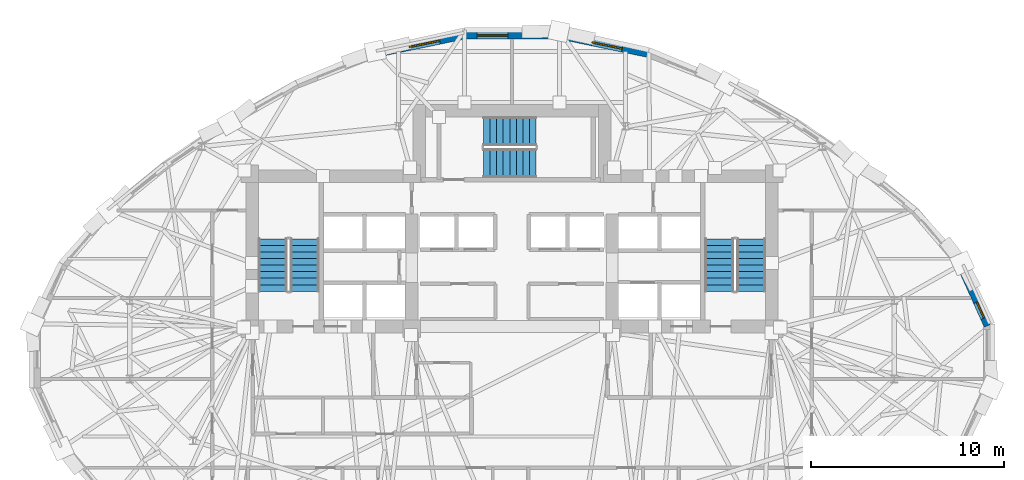
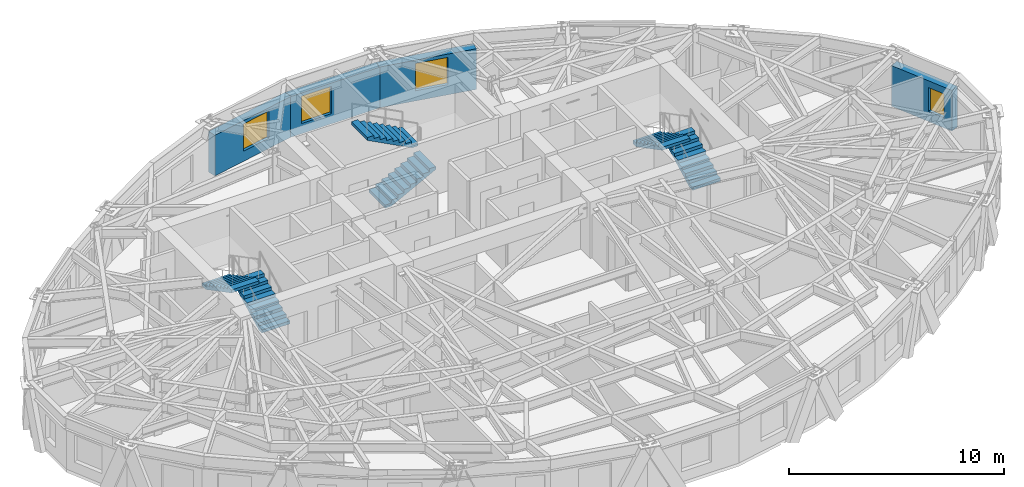
# One storey, part 10 of 14: 6 stair flights, 4 walls, 4 windows, 4 openings, 3 elements without a shape of their own.
"""IFC4 building model written with IfcOpenShell, lengths in metres."""

from ifc_helpers import new_model, si_unit, direction, frame, frame_2d, origin, place, context, subcontext, project, spatial, polyline, rectangle, outline, extrude, material, layer, layer_set, type_object, element, fill, aggregate, save


model = new_model("IFC4")

# Units and contexts
model_context = context("Model", 3, precision=1e-05, world=origin(), true_north=direction((0.0, 1.0)))
body_context = subcontext(model_context, "Body", "Model", "MODEL_VIEW")
ifc_project = project(units=[si_unit("LENGTHUNIT", "METRE"), si_unit("AREAUNIT", "SQUARE_METRE"), si_unit("VOLUMEUNIT", "CUBIC_METRE"), si_unit("PLANEANGLEUNIT", "RADIAN"), si_unit("MASSUNIT", "GRAM", prefix="KILO")], contexts=[model_context])

# Site, building, storey
site_placement = place(None, origin())
site = spatial("IfcSite", under=ifc_project, at=site_placement, CompositionType="ELEMENT")
building_placement = place(site_placement, origin())
building = spatial("IfcBuilding", under=site, at=building_placement, Name="Keldmark Tower", CompositionType="ELEMENT")
storey_placement = place(building_placement, frame((0.0, 0.0, 182.199951171875)))
storey = spatial("IfcBuildingStorey", under=building, at=storey_placement, Name="L50", CompositionType="ELEMENT", Elevation=182.199951171875)

# Wall, opening, window
ifc_material_1 = material(Name="Ironspot Manganese Brick and Kasota Buff Limestone Spandrel Assembly", Category="masonry")
ifc_layer = layer(ifc_material_1, 0.43994140625)
ifc_layer_set = layer_set([ifc_layer], Name="Ironspot Manganese Brick and Kasota Buff Limestone Spandrel Assembly")
wall_type = type_object("IfcWallType", Name="Tower Brick Pier and Spandrel Wall 440 mm", PredefinedType="STANDARD", material=ifc_layer_set)
wall_1_placement = place(storey_placement, frame((23.273681640625, 4.737060546875, 0.0), z_axis=(0.0, 0.0, 1.0), x_axis=(0.410812065386, -0.911720048553, 0.0)))
wall_1 = element("IfcWall", 1, at=wall_1_placement, inside=storey, type_object=wall_type, Name="L50 Exterior Brick and Spandrel Wall 01", PredefinedType="STANDARD", context=body_context, shape_type="SweptSolid", body=[
    extrude(rectangle(XDim=3.47119140625, YDim=0.43994140625, at=frame_2d((1.735595703125, 0.0))), origin(), (0.0, 0.0, 1.0), 2.31494140625),
])
opening_1_placement = place(wall_1_placement, frame((2.12451171875, 0.0, 0.580078125)))
opening_1 = element("IfcOpeningElement", 2, at=opening_1_placement, cuts=wall_1, Name="Opening W-09", PredefinedType="OPENING", context=body_context, shape_type="SweptSolid", body=[
    extrude(rectangle(XDim=0.89990234375, YDim=1.35009765625, at=frame_2d((0.449951171875, 0.675048828125))), frame((0.0, 0.22998046875, 0.0), z_axis=(0.0, -1.0, 0.0), x_axis=(1.0, 0.0, 0.0)), (0.0, 0.0, 1.0), 0.4599609375),
])
ifc_material_2 = material(Name="Thermally Broken Anodized Aluminum and Triple Low-E Argon Glazing", Category="aluminium")
window_type_1 = type_object("IfcWindowType", Name="Corner Pier Deep-Set Window 900x1350", PartitioningType="SINGLE_PANEL", PredefinedType="WINDOW", material=ifc_material_2)
window_1_placement = place(opening_1_placement, origin())
window_1 = element("IfcWindow", 3, at=window_1_placement, inside=storey, type_object=window_type_1, Name="L50 Deep-Set Window 01", OverallHeight=1.35009765625, OverallWidth=0.89990234375, PartitioningType="SINGLE_PANEL", PredefinedType="WINDOW", context=body_context, shape_type="SweptSolid", body=[
    extrude(rectangle(XDim=0.89990234375, YDim=1.35009765625, at=frame_2d((0.449951171875, 0.675048828125))), frame((0.0, -0.010009765625, 0.0), z_axis=(0.0, -1.0, 0.0), x_axis=(1.0, 0.0, 0.0)), (0.0, 0.0, 1.0), 0.06005859375),
])
fill(opening_1, window_1)

wall_2_placement = place(storey_placement, frame((2.407958984375, 16.6650390625, 0.0), z_axis=(0.0, 0.0, 1.0), x_axis=(0.979222564836, -0.202788482206, 0.0)))
wall_2 = element("IfcWall", 4, at=wall_2_placement, inside=storey, type_object=wall_type, Name="L50 Exterior Brick and Spandrel Wall 07", PredefinedType="STANDARD", context=body_context, shape_type="SweptSolid", body=[
    extrude(rectangle(XDim=4.767578125, YDim=0.43994140625, at=frame_2d((2.3837890625, 0.0))), origin(), (0.0, 0.0, 1.0), 2.31494140625),
])
opening_2_placement = place(wall_2_placement, frame((1.781494140625, 0.0, 0.580078125)))
opening_2 = element("IfcOpeningElement", 5, at=opening_2_placement, cuts=wall_2, Name="Opening W-04", PredefinedType="OPENING", context=body_context, shape_type="SweptSolid", body=[
    extrude(rectangle(XDim=1.60009765625, YDim=1.550048828125, at=frame_2d((0.800048828125, 0.77490234375))), frame((0.0, 0.22998046875, 0.0), z_axis=(0.0, -1.0, 0.0), x_axis=(1.0, 0.0, 0.0)), (0.0, 0.0, 1.0), 0.4599609375),
])
ifc_material_3 = material(Name="Thermally Broken Anodized Aluminum and Triple Low-E Argon Glazing", Category="aluminium")
window_type_2 = type_object("IfcWindowType", Name="Hotel Deep-Set Operable Window 1600x1550", PartitioningType="DOUBLE_PANEL_HORIZONTAL", PredefinedType="WINDOW", material=ifc_material_3)
window_2_placement = place(opening_2_placement, origin())
window_2 = element("IfcWindow", 6, at=window_2_placement, inside=storey, type_object=window_type_2, Name="L50 Deep-Set Window 07", OverallHeight=1.550048828125, OverallWidth=1.60009765625, PartitioningType="SINGLE_PANEL", PredefinedType="WINDOW", context=body_context, shape_type="SweptSolid", body=[
    extrude(rectangle(XDim=1.60009765625, YDim=1.550048828125, at=frame_2d((0.800048828125, 0.77490234375))), frame((0.0, -0.010009765625, 0.0), z_axis=(0.0, -1.0, 0.0), x_axis=(1.0, 0.0, 0.0)), (0.0, 0.0, 1.0), 0.06005859375),
])
fill(opening_2, window_2)

wall_3_placement = place(storey_placement, frame((-2.452392578125, 16.660400390625, 0.0), z_axis=(0.0, 0.0, 1.0), x_axis=(1.0, 0.0, 0.0)))
wall_3 = element("IfcWall", 7, at=wall_3_placement, inside=storey, type_object=wall_type, Name="L50 Exterior Brick and Spandrel Wall 08", PredefinedType="STANDARD", context=body_context, shape_type="SweptSolid", body=[
    extrude(rectangle(XDim=4.90478515625, YDim=0.43994140625, at=frame_2d((2.452392578125, 0.0))), origin(), (0.0, 0.0, 1.0), 2.31494140625),
])
opening_3_placement = place(wall_3_placement, frame((0.64306640625, 0.0, 0.580078125)))
opening_3 = element("IfcOpeningElement", 8, at=opening_3_placement, cuts=wall_3, Name="Opening W-04", PredefinedType="OPENING", context=body_context, shape_type="SweptSolid", body=[
    extrude(rectangle(XDim=1.60009765625, YDim=1.550048828125, at=frame_2d((0.800048828125, 0.77490234375))), frame((0.0, 0.22998046875, 0.0), z_axis=(0.0, -1.0, 0.0), x_axis=(1.0, 0.0, 0.0)), (0.0, 0.0, 1.0), 0.4599609375),
])
window_3_placement = place(opening_3_placement, origin())
window_3 = element("IfcWindow", 9, at=window_3_placement, inside=storey, type_object=window_type_2, Name="L50 Deep-Set Window 08", OverallHeight=1.550048828125, OverallWidth=1.60009765625, PartitioningType="SINGLE_PANEL", PredefinedType="WINDOW", context=body_context, shape_type="SweptSolid", body=[
    extrude(rectangle(XDim=1.60009765625, YDim=1.550048828125, at=frame_2d((0.800048828125, 0.77490234375))), frame((0.0, -0.010009765625, 0.0), z_axis=(0.0, -1.0, 0.0), x_axis=(1.0, 0.0, 0.0)), (0.0, 0.0, 1.0), 0.06005859375),
])
fill(opening_3, window_3)

wall_4_placement = place(storey_placement, frame((-7.076416015625, 15.6982421875, 0.0), z_axis=(0.0, 0.0, 1.0), x_axis=(0.979222564836, 0.202788482206, 0.0)))
wall_4 = element("IfcWall", 10, at=wall_4_placement, inside=storey, type_object=wall_type, Name="L50 Exterior Brick and Spandrel Wall 09", PredefinedType="STANDARD", context=body_context, shape_type="SweptSolid", body=[
    extrude(rectangle(XDim=4.767578125, YDim=0.43994140625, at=frame_2d((2.3837890625, 0.0))), origin(), (0.0, 0.0, 1.0), 2.31494140625),
])
opening_4_placement = place(wall_4_placement, frame((1.781494140625, 0.0, 0.580078125)))
opening_4 = element("IfcOpeningElement", 11, at=opening_4_placement, cuts=wall_4, Name="Opening W-04", PredefinedType="OPENING", context=body_context, shape_type="SweptSolid", body=[
    extrude(rectangle(XDim=1.60009765625, YDim=1.550048828125, at=frame_2d((0.800048828125, 0.77490234375))), frame((0.0, 0.22998046875, 0.0), z_axis=(0.0, -1.0, 0.0), x_axis=(1.0, 0.0, 0.0)), (0.0, 0.0, 1.0), 0.4599609375),
])
window_4_placement = place(opening_4_placement, origin())
window_4 = element("IfcWindow", 12, at=window_4_placement, inside=storey, type_object=window_type_2, Name="L50 Deep-Set Window 09", OverallHeight=1.550048828125, OverallWidth=1.60009765625, PartitioningType="SINGLE_PANEL", PredefinedType="WINDOW", context=body_context, shape_type="SweptSolid", body=[
    extrude(rectangle(XDim=1.60009765625, YDim=1.550048828125, at=frame_2d((0.800048828125, 0.77490234375))), frame((0.0, -0.010009765625, 0.0), z_axis=(0.0, -1.0, 0.0), x_axis=(1.0, 0.0, 0.0)), (0.0, 0.0, 1.0), 0.06005859375),
])
fill(opening_4, window_4)

# Stair, stair flights
ifc_material_4 = material(Name="Concrete C40/50", Category="concrete")
stair_type = type_object("IfcStairType", Name="Precast Concrete Core Exit Stair", PredefinedType="HALF_TURN_STAIR", material=ifc_material_4)
stair_1_placement = place(storey_placement, origin())
stair_1 = element("IfcStair", 13, at=stair_1_placement, inside=storey, type_object=stair_type, Name="L50 Exit Stair ST1", PredefinedType="HALF_TURN_STAIR")
ifc_material_5 = material(Name="Concrete C40/50", Category="concrete")
stair_flight_type = type_object("IfcStairFlightType", Name="Precast Concrete Stair Flight 1500 mm", PredefinedType="STRAIGHT", material=ifc_material_5)
stair_flight_1_placement = place(storey_placement, frame((-10.75, 3.35009765625, 0.0), z_axis=(0.0, 0.0, 1.0), x_axis=(0.0, 1.0, 0.0)))
stair_flight_1 = element("IfcStairFlight", 14, at=stair_flight_1_placement, type_object=stair_flight_type, Name="ST1 flight 1", NumberOfRisers=9, NumberOfTreads=8, PredefinedType="STRAIGHT", RiserHeight=0.177777778, TreadLength=0.34, context=body_context, shape_type="SweptSolid", body=[
    extrude(outline(polyline([(0.0, 0.0), (0.0, 0.177734375), (0.340087890625, 0.177734375), (0.340087890625, 0.35546875), (0.679931640625, 0.35546875), (0.679931640625, 0.533447265625), (1.02001953125, 0.533447265625), (1.02001953125, 0.711181640625), (1.360107421875, 0.711181640625), (1.360107421875, 0.888916015625), (1.699951171875, 0.888916015625), (1.699951171875, 1.066650390625), (2.0400390625, 1.066650390625), (2.0400390625, 1.244384765625), (2.3798828125, 1.244384765625), (2.3798828125, 1.422119140625), (2.719970703125, 1.422119140625), (2.719970703125, 1.60009765625), (2.719970703125, 1.253173828125), (0.323486328125, 0.0), (0.0, 0.0)])), frame((0.0, 0.75, 0.0), z_axis=(0.0, -1.0, 0.0), x_axis=(1.0, 0.0, 0.0)), (0.0, 0.0, 1.0), 1.5),
])
stair_flight_2_placement = place(storey_placement, frame((-12.39990234375, 6.070068359375, 1.60009765625), z_axis=(0.0, 0.0, 1.0), x_axis=(0.0, -1.0, 0.0)))
stair_flight_2 = element("IfcStairFlight", 15, at=stair_flight_2_placement, type_object=stair_flight_type, Name="ST1 flight 2", NumberOfRisers=9, NumberOfTreads=8, PredefinedType="STRAIGHT", RiserHeight=0.177777778, TreadLength=0.34, context=body_context, shape_type="SweptSolid", body=[
    extrude(outline(polyline([(0.0, 0.0), (0.0, 0.177734375), (0.340087890625, 0.177734375), (0.340087890625, 0.35546875), (0.679931640625, 0.35546875), (0.679931640625, 0.533447265625), (1.02001953125, 0.533447265625), (1.02001953125, 0.711181640625), (1.360107421875, 0.711181640625), (1.360107421875, 0.888916015625), (1.699951171875, 0.888916015625), (1.699951171875, 1.066650390625), (2.0400390625, 1.066650390625), (2.0400390625, 1.244384765625), (2.3798828125, 1.244384765625), (2.3798828125, 1.422119140625), (2.719970703125, 1.422119140625), (2.719970703125, 1.60009765625), (2.719970703125, 1.253173828125), (0.323486328125, 0.0), (0.0, 0.0)])), frame((0.0, 0.75, 0.0), z_axis=(0.0, -1.0, 0.0), x_axis=(1.0, 0.0, 0.0)), (0.0, 0.0, 1.0), 1.5),
])
aggregate(stair_1, [stair_flight_1, stair_flight_2])

stair_2_placement = place(storey_placement, origin())
stair_2 = element("IfcStair", 16, at=stair_2_placement, inside=storey, type_object=stair_type, Name="L50 Exit Stair ST2", PredefinedType="HALF_TURN_STAIR")
stair_flight_3_placement = place(storey_placement, frame((12.39990234375, 3.35009765625, 0.0), z_axis=(0.0, 0.0, 1.0), x_axis=(0.0, 1.0, 0.0)))
stair_flight_3 = element("IfcStairFlight", 17, at=stair_flight_3_placement, type_object=stair_flight_type, Name="ST2 flight 1", NumberOfRisers=9, NumberOfTreads=8, PredefinedType="STRAIGHT", RiserHeight=0.177777778, TreadLength=0.34, context=body_context, shape_type="SweptSolid", body=[
    extrude(outline(polyline([(0.0, 0.0), (0.0, 0.177734375), (0.340087890625, 0.177734375), (0.340087890625, 0.35546875), (0.679931640625, 0.35546875), (0.679931640625, 0.533447265625), (1.02001953125, 0.533447265625), (1.02001953125, 0.711181640625), (1.360107421875, 0.711181640625), (1.360107421875, 0.888916015625), (1.699951171875, 0.888916015625), (1.699951171875, 1.066650390625), (2.0400390625, 1.066650390625), (2.0400390625, 1.244384765625), (2.3798828125, 1.244384765625), (2.3798828125, 1.422119140625), (2.719970703125, 1.422119140625), (2.719970703125, 1.60009765625), (2.719970703125, 1.253173828125), (0.323486328125, 0.0), (0.0, 0.0)])), frame((0.0, 0.75, 0.0), z_axis=(0.0, -1.0, 0.0), x_axis=(1.0, 0.0, 0.0)), (0.0, 0.0, 1.0), 1.5),
])
stair_flight_4_placement = place(storey_placement, frame((10.75, 6.070068359375, 1.60009765625), z_axis=(0.0, 0.0, 1.0), x_axis=(0.0, -1.0, 0.0)))
stair_flight_4 = element("IfcStairFlight", 18, at=stair_flight_4_placement, type_object=stair_flight_type, Name="ST2 flight 2", NumberOfRisers=9, NumberOfTreads=8, PredefinedType="STRAIGHT", RiserHeight=0.177777778, TreadLength=0.34, context=body_context, shape_type="SweptSolid", body=[
    extrude(outline(polyline([(0.0, 0.0), (0.0, 0.177734375), (0.340087890625, 0.177734375), (0.340087890625, 0.35546875), (0.679931640625, 0.35546875), (0.679931640625, 0.533447265625), (1.02001953125, 0.533447265625), (1.02001953125, 0.711181640625), (1.360107421875, 0.711181640625), (1.360107421875, 0.888916015625), (1.699951171875, 0.888916015625), (1.699951171875, 1.066650390625), (2.0400390625, 1.066650390625), (2.0400390625, 1.244384765625), (2.3798828125, 1.244384765625), (2.3798828125, 1.422119140625), (2.719970703125, 1.422119140625), (2.719970703125, 1.60009765625), (2.719970703125, 1.253173828125), (0.323486328125, 0.0), (0.0, 0.0)])), frame((0.0, 0.75, 0.0), z_axis=(0.0, -1.0, 0.0), x_axis=(1.0, 0.0, 0.0)), (0.0, 0.0, 1.0), 1.5),
])
aggregate(stair_2, [stair_flight_3, stair_flight_4])

stair_3_placement = place(storey_placement, origin())
stair_3 = element("IfcStair", 19, at=stair_3_placement, inside=storey, type_object=stair_type, Name="L50 Exit Stair ST3", PredefinedType="HALF_TURN_STAIR")
stair_flight_5_placement = place(storey_placement, frame((-1.47509765625, 10.0, 0.0), z_axis=(0.0, 0.0, 1.0), x_axis=(1.0, 0.0, 0.0)))
stair_flight_5 = element("IfcStairFlight", 20, at=stair_flight_5_placement, type_object=stair_flight_type, Name="ST3 flight 1", NumberOfRisers=9, NumberOfTreads=8, PredefinedType="STRAIGHT", RiserHeight=0.177777778, TreadLength=0.34, context=body_context, shape_type="SweptSolid", body=[
    extrude(outline(polyline([(0.0, 0.0), (0.0, 0.177734375), (0.340087890625, 0.177734375), (0.340087890625, 0.35546875), (0.679931640625, 0.35546875), (0.679931640625, 0.533447265625), (1.02001953125, 0.533447265625), (1.02001953125, 0.711181640625), (1.360107421875, 0.711181640625), (1.360107421875, 0.888916015625), (1.699951171875, 0.888916015625), (1.699951171875, 1.066650390625), (2.0400390625, 1.066650390625), (2.0400390625, 1.244384765625), (2.3798828125, 1.244384765625), (2.3798828125, 1.422119140625), (2.719970703125, 1.422119140625), (2.719970703125, 1.60009765625), (2.719970703125, 1.253173828125), (0.323486328125, 0.0), (0.0, 0.0)])), frame((0.0, 0.75, 0.0), z_axis=(0.0, -1.0, 0.0), x_axis=(1.0, 0.0, 0.0)), (0.0, 0.0, 1.0), 1.5),
])
stair_flight_6_placement = place(storey_placement, frame((1.2451171875, 11.64990234375, 1.60009765625), z_axis=(0.0, 0.0, 1.0), x_axis=(-1.0, 0.0, 0.0)))
stair_flight_6 = element("IfcStairFlight", 21, at=stair_flight_6_placement, type_object=stair_flight_type, Name="ST3 flight 2", NumberOfRisers=9, NumberOfTreads=8, PredefinedType="STRAIGHT", RiserHeight=0.177777778, TreadLength=0.34, context=body_context, shape_type="SweptSolid", body=[
    extrude(outline(polyline([(0.0, 0.0), (0.0, 0.177734375), (0.340087890625, 0.177734375), (0.340087890625, 0.35546875), (0.679931640625, 0.35546875), (0.679931640625, 0.533447265625), (1.02001953125, 0.533447265625), (1.02001953125, 0.711181640625), (1.360107421875, 0.711181640625), (1.360107421875, 0.888916015625), (1.699951171875, 0.888916015625), (1.699951171875, 1.066650390625), (2.0400390625, 1.066650390625), (2.0400390625, 1.244384765625), (2.3798828125, 1.244384765625), (2.3798828125, 1.422119140625), (2.719970703125, 1.422119140625), (2.719970703125, 1.60009765625), (2.719970703125, 1.253173828125), (0.323486328125, 0.0), (0.0, 0.0)])), frame((0.0, 0.75, 0.0), z_axis=(0.0, -1.0, 0.0), x_axis=(1.0, 0.0, 0.0)), (0.0, 0.0, 1.0), 1.5),
])
aggregate(stair_3, [stair_flight_5, stair_flight_6])

save(model, "model.ifc")
